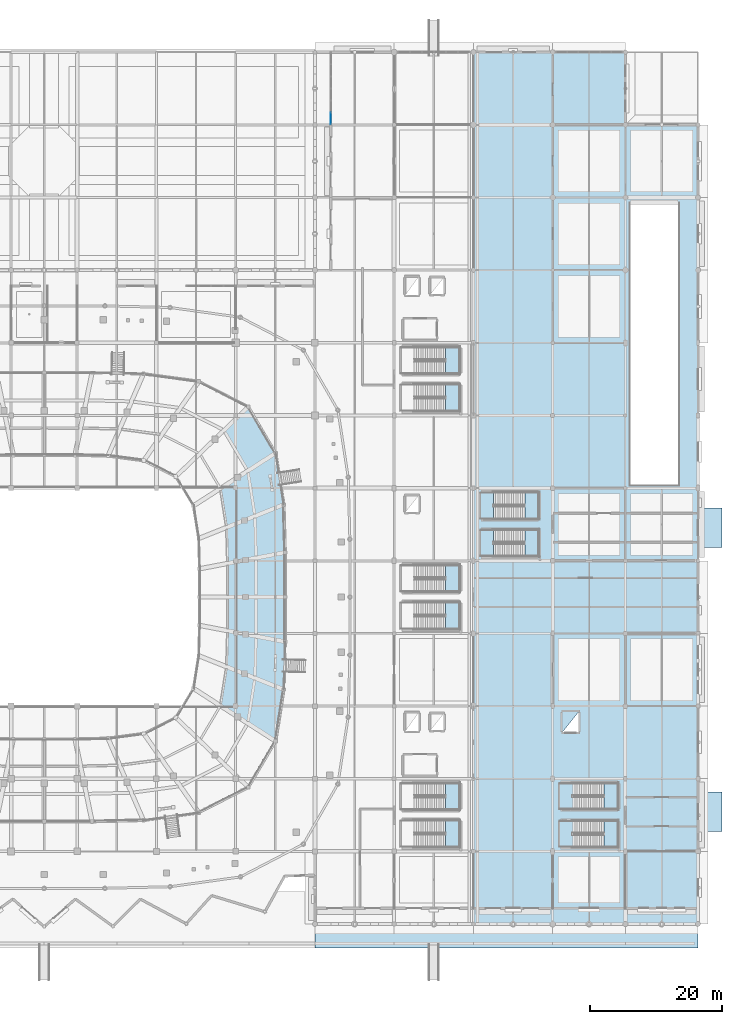
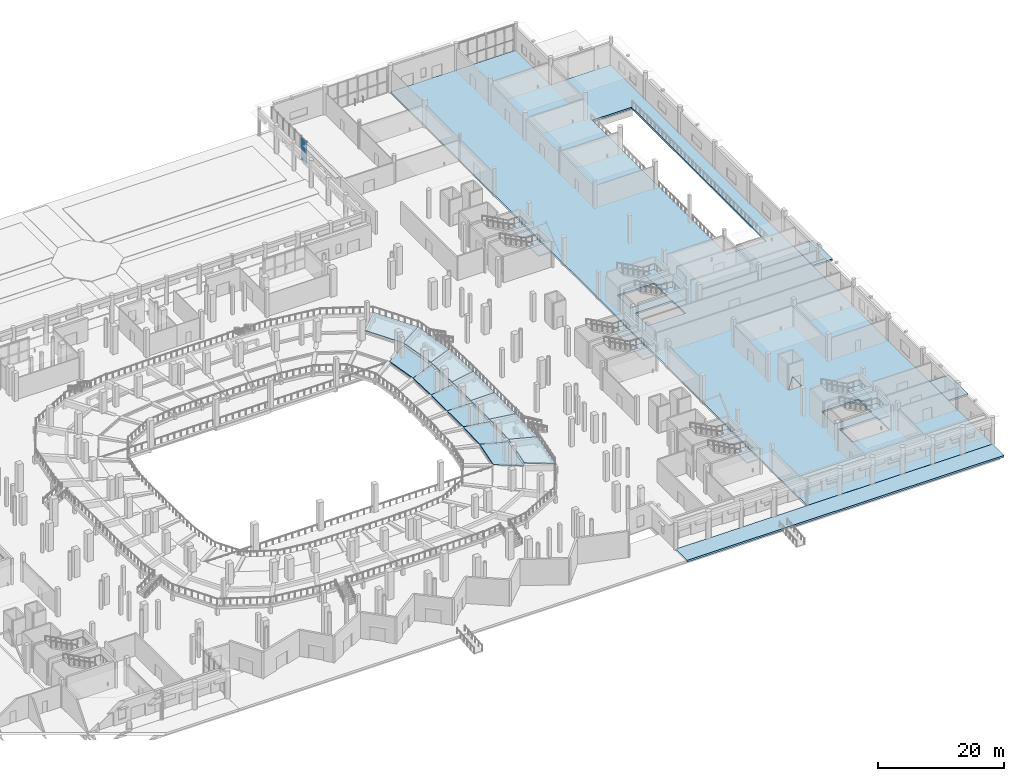
# One storey, part 48 of 120: 27 slabs, 2 plates, 11 elements without a shape of their own.
"""IFC4 building model written with IfcOpenShell, lengths in metres."""

from ifc_helpers import new_model, si_unit, direction, frame, origin, origin_2d, place, context, subcontext, project, spatial, polyline, rectangle, outline, extrude, material, layer, layer_set, type_object, element, aggregate, save


model = new_model("IFC4")

# Units and contexts
model_context = context("Model", 3, precision=1e-05, world=origin(), true_north=direction((0.0, 1.0)))
body_context = subcontext(model_context, "Body", "Model", "MODEL_VIEW")
ifc_project = project(units=[si_unit("LENGTHUNIT", "METRE"), si_unit("AREAUNIT", "SQUARE_METRE"), si_unit("VOLUMEUNIT", "CUBIC_METRE"), si_unit("PLANEANGLEUNIT", "RADIAN"), si_unit("MASSUNIT", "GRAM", prefix="KILO")], contexts=[model_context])

# Site, building, storey
site_placement = place(None, origin())
site = spatial("IfcSite", under=ifc_project, at=site_placement, CompositionType="ELEMENT")
building_placement = place(site_placement, origin())
building = spatial("IfcBuilding", under=site, at=building_placement, Name="Luwafu Chhajja Arena", CompositionType="ELEMENT")
storey_placement = place(building_placement, origin())
storey = spatial("IfcBuildingStorey", under=building, at=storey_placement, Name="L00", CompositionType="ELEMENT", Elevation=0.0)

# Curtain wall, plates
ifc_material_1 = material(Name="Anodised bronze aluminium", Category="aluminium")
curtain_wall_type = type_object("IfcCurtainWallType", Name="VIP Club Terrace Curtain Wall", PredefinedType="USERDEFINED", material=ifc_material_1)
curtain_wall_placement = place(storey_placement, origin())
curtain_wall = element("IfcCurtainWall", 1, at=curtain_wall_placement, inside=storey, type_object=curtain_wall_type, Name="L00 Curtain Wall CWG-L00-V12_11", ObjectType="CURTAIN WALL", PredefinedType="USERDEFINED")
ifc_material_2 = material(Name="Solar-control laminated glass", Category="glass")
ifc_layer_1 = layer(ifc_material_2, 0.035888671875, Name="Solar-control laminated glass")
ifc_layer_set_1 = layer_set([ifc_layer_1], Name="Solar-control laminated glass")
plate_type = type_object("IfcPlateType", Name="Acoustic Broadcast Double Glazed CW Panel 36", PredefinedType="CURTAIN_PANEL", material=ifc_layer_set_1)
plate_1_placement = place(storey_placement, frame((142.39990234375, 121.932861328125, 0.094970703125), z_axis=(0.0, 0.0, 1.0), x_axis=(0.0, 1.0, 0.0)))
plate_1 = element("IfcPlate", 2, at=plate_1_placement, type_object=plate_type, Name="CW-10 panel 1.1", PredefinedType="CURTAIN_PANEL", context=body_context, shape_type="SweptSolid", body=[
    extrude(rectangle(XDim=1.73583984375, YDim=0.035888671875, at=origin_2d()), origin(), (0.0, 0.0, 1.0), 1.919921875),
])
plate_2_placement = place(storey_placement, frame((142.39990234375, 121.932861328125, 2.080078125), z_axis=(0.0, 0.0, 1.0), x_axis=(0.0, 1.0, 0.0)))
plate_2 = element("IfcPlate", 3, at=plate_2_placement, type_object=plate_type, Name="CW-10 panel 1.2", PredefinedType="CURTAIN_PANEL", context=body_context, shape_type="SweptSolid", body=[
    extrude(rectangle(XDim=1.73583984375, YDim=0.035888671875, at=origin_2d()), origin(), (0.0, 0.0, 1.0), 2.405029296875),
])
aggregate(curtain_wall, [plate_1, plate_2])

# Stair, slab
ifc_material_3 = material(Name="Concrete C35/45", Category="concrete")
stair_type_1 = type_object("IfcStairType", Name="Quadrant Protected Dog-Leg Stair 1920", PredefinedType="HALF_TURN_STAIR", material=ifc_material_3)
stair_1_placement = place(storey_placement, origin())
stair_1 = element("IfcStair", 4, at=stair_1_placement, inside=storey, type_object=stair_type_1, Name="L00 Protected Escape Stair ST-03", PredefinedType="HALF_TURN_STAIR")
ifc_layer_2 = layer(ifc_material_3, 0.199951171875, Name="Concrete C35/45")
ifc_layer_set_2 = layer_set([ifc_layer_2], Name="Concrete C35/45")
slab_type_1 = type_object("IfcSlabType", Name="Escape Stair Landing Slab 200", PredefinedType="LANDING", material=ifc_layer_set_2)
slab_1_placement = place(storey_placement, frame((0.0, 0.0, 2.5)))
slab_1 = element("IfcSlab", 5, at=slab_1_placement, type_object=slab_type_1, Name="ST-03 landing 1", PredefinedType="LANDING", context=body_context, shape_type="SweptSolid", body=[
    extrude(outline(polyline([(159.780029296875, 11.64990234375), (161.89990234375, 11.64990234375), (161.89990234375, 15.68994140625), (159.780029296875, 15.68994140625), (159.780029296875, 11.64990234375)])), origin(), (0.0, 0.0, 1.0), 0.199951171875),
])
aggregate(stair_1, [slab_1])

stair_2_placement = place(storey_placement, origin())
stair_2 = element("IfcStair", 6, at=stair_2_placement, inside=storey, type_object=stair_type_1, Name="L00 Protected Escape Stair ST-04", PredefinedType="HALF_TURN_STAIR")
slab_2_placement = place(storey_placement, frame((0.0, 0.0, 2.5)))
slab_2 = element("IfcSlab", 7, at=slab_2_placement, type_object=slab_type_1, Name="ST-04 landing 1", PredefinedType="LANDING", context=body_context, shape_type="SweptSolid", body=[
    extrude(outline(polyline([(159.780029296875, 17.31005859375), (161.89990234375, 17.31005859375), (161.89990234375, 21.35009765625), (159.780029296875, 21.35009765625), (159.780029296875, 17.31005859375)])), origin(), (0.0, 0.0, 1.0), 0.199951171875),
])
aggregate(stair_2, [slab_2])

stair_3_placement = place(storey_placement, origin())
stair_3 = element("IfcStair", 8, at=stair_3_placement, inside=storey, type_object=stair_type_1, Name="L00 Protected Escape Stair ST-07", PredefinedType="HALF_TURN_STAIR")
slab_3_placement = place(storey_placement, frame((0.0, 0.0, 2.5)))
slab_3 = element("IfcSlab", 9, at=slab_3_placement, type_object=slab_type_1, Name="ST-07 landing 1", PredefinedType="LANDING", context=body_context, shape_type="SweptSolid", body=[
    extrude(outline(polyline([(159.780029296875, 77.64990234375), (161.89990234375, 77.64990234375), (161.89990234375, 81.68994140625), (159.780029296875, 81.68994140625), (159.780029296875, 77.64990234375)])), origin(), (0.0, 0.0, 1.0), 0.199951171875),
])
aggregate(stair_3, [slab_3])

stair_4_placement = place(storey_placement, origin())
stair_4 = element("IfcStair", 10, at=stair_4_placement, inside=storey, type_object=stair_type_1, Name="L00 Protected Escape Stair ST-08", PredefinedType="HALF_TURN_STAIR")
slab_4_placement = place(storey_placement, frame((0.0, 0.0, 2.5)))
slab_4 = element("IfcSlab", 11, at=slab_4_placement, type_object=slab_type_1, Name="ST-08 landing 1", PredefinedType="LANDING", context=body_context, shape_type="SweptSolid", body=[
    extrude(outline(polyline([(159.780029296875, 83.31005859375), (161.89990234375, 83.31005859375), (161.89990234375, 87.35009765625), (159.780029296875, 87.35009765625), (159.780029296875, 83.31005859375)])), origin(), (0.0, 0.0, 1.0), 0.199951171875),
])
aggregate(stair_4, [slab_4])

stair_5_placement = place(storey_placement, origin())
stair_5 = element("IfcStair", 12, at=stair_5_placement, inside=storey, type_object=stair_type_1, Name="L00 Protected Escape Stair ST-11", PredefinedType="HALF_TURN_STAIR")
slab_5_placement = place(storey_placement, frame((0.0, 0.0, 2.5)))
slab_5 = element("IfcSlab", 13, at=slab_5_placement, type_object=slab_type_1, Name="ST-11 landing 1", PredefinedType="LANDING", context=body_context, shape_type="SweptSolid", body=[
    extrude(outline(polyline([(159.780029296875, 44.64990234375), (161.89990234375, 44.64990234375), (161.89990234375, 48.68994140625), (159.780029296875, 48.68994140625), (159.780029296875, 44.64990234375)])), origin(), (0.0, 0.0, 1.0), 0.199951171875),
])
aggregate(stair_5, [slab_5])

stair_6_placement = place(storey_placement, origin())
stair_6 = element("IfcStair", 14, at=stair_6_placement, inside=storey, type_object=stair_type_1, Name="L00 Protected Escape Stair ST-12", PredefinedType="HALF_TURN_STAIR")
slab_6_placement = place(storey_placement, frame((0.0, 0.0, 2.5)))
slab_6 = element("IfcSlab", 15, at=slab_6_placement, type_object=slab_type_1, Name="ST-12 landing 1", PredefinedType="LANDING", context=body_context, shape_type="SweptSolid", body=[
    extrude(outline(polyline([(159.780029296875, 50.31005859375), (161.89990234375, 50.31005859375), (161.89990234375, 54.35009765625), (159.780029296875, 54.35009765625), (159.780029296875, 50.31005859375)])), origin(), (0.0, 0.0, 1.0), 0.199951171875),
])
aggregate(stair_6, [slab_6])

stair_type_2 = type_object("IfcStairType", Name="Wing Protected Dog-Leg Stair 1900", PredefinedType="HALF_TURN_STAIR", material=ifc_material_3)
stair_7_placement = place(storey_placement, origin())
stair_7 = element("IfcStair", 16, at=stair_7_placement, inside=storey, type_object=stair_type_2, Name="L00 Protected Escape Stair ST-15", PredefinedType="HALF_TURN_STAIR")
slab_7_placement = place(storey_placement, frame((0.0, 0.0, 2.5)))
slab_7 = element("IfcSlab", 17, at=slab_7_placement, type_object=slab_type_1, Name="ST-15 landing 1", PredefinedType="LANDING", context=body_context, shape_type="SweptSolid", body=[
    extrude(outline(polyline([(183.760009765625, 11.64990234375), (185.89990234375, 11.64990234375), (185.89990234375, 15.64990234375), (183.760009765625, 15.64990234375), (183.760009765625, 11.64990234375)])), origin(), (0.0, 0.0, 1.0), 0.199951171875),
])
aggregate(stair_7, [slab_7])

stair_8_placement = place(storey_placement, origin())
stair_8 = element("IfcStair", 18, at=stair_8_placement, inside=storey, type_object=stair_type_2, Name="L00 Protected Escape Stair ST-16", PredefinedType="HALF_TURN_STAIR")
slab_8_placement = place(storey_placement, frame((0.0, 0.0, 2.5)))
slab_8 = element("IfcSlab", 19, at=slab_8_placement, type_object=slab_type_1, Name="ST-16 landing 1", PredefinedType="LANDING", context=body_context, shape_type="SweptSolid", body=[
    extrude(outline(polyline([(183.760009765625, 17.35009765625), (185.89990234375, 17.35009765625), (185.89990234375, 21.35009765625), (183.760009765625, 21.35009765625), (183.760009765625, 17.35009765625)])), origin(), (0.0, 0.0, 1.0), 0.199951171875),
])
aggregate(stair_8, [slab_8])

stair_9_placement = place(storey_placement, origin())
stair_9 = element("IfcStair", 20, at=stair_9_placement, inside=storey, type_object=stair_type_1, Name="L00 Protected Escape Stair ST-19", PredefinedType="HALF_TURN_STAIR")
slab_9_placement = place(storey_placement, frame((0.0, 0.0, 2.5)))
slab_9 = element("IfcSlab", 21, at=slab_9_placement, type_object=slab_type_1, Name="ST-19 landing 1", PredefinedType="LANDING", context=body_context, shape_type="SweptSolid", body=[
    extrude(outline(polyline([(171.780029296875, 55.64990234375), (173.89990234375, 55.64990234375), (173.89990234375, 59.68994140625), (171.780029296875, 59.68994140625), (171.780029296875, 55.64990234375)])), origin(), (0.0, 0.0, 1.0), 0.199951171875),
])
aggregate(stair_9, [slab_9])

stair_10_placement = place(storey_placement, origin())
stair_10 = element("IfcStair", 22, at=stair_10_placement, inside=storey, type_object=stair_type_1, Name="L00 Protected Escape Stair ST-20", PredefinedType="HALF_TURN_STAIR")
slab_10_placement = place(storey_placement, frame((0.0, 0.0, 2.5)))
slab_10 = element("IfcSlab", 23, at=slab_10_placement, type_object=slab_type_1, Name="ST-20 landing 1", PredefinedType="LANDING", context=body_context, shape_type="SweptSolid", body=[
    extrude(outline(polyline([(171.780029296875, 61.31005859375), (173.89990234375, 61.31005859375), (173.89990234375, 65.35009765625), (171.780029296875, 65.35009765625), (171.780029296875, 61.31005859375)])), origin(), (0.0, 0.0, 1.0), 0.199951171875),
])
aggregate(stair_10, [slab_10])

# Slabs
ifc_layer_3 = layer(ifc_material_3, 0.340087890625, Name="Concrete C35/45")
ifc_layer_set_3 = layer_set([ifc_layer_3], Name="Concrete C35/45")
slab_type_2 = type_object("IfcSlabType", Name="Main Concourse Suspended Slab 340", PredefinedType="FLOOR", material=ifc_layer_set_3)
slab_11_placement = place(storey_placement, frame((0.0, 0.0, -0.340087890625)))
element("IfcSlab", 24, at=slab_11_placement, inside=storey, type_object=slab_type_2, Name="L00 Structural Floor Slab 2", PredefinedType="FLOOR", context=body_context, shape_type="SweptSolid", body=[
    extrude(outline(polyline([(187.0, 132.0), (187.0, 121.0), (198.0, 121.0), (198.0, 0.0), (164.050048828125, 0.0), (164.050048828125, 132.0), (187.0, 132.0)]), holes=[polyline([(195.0, 109.199951171875), (187.800048828125, 109.199951171875), (187.800048828125, 66.5), (195.0, 66.5), (195.0, 109.199951171875)]), polyline([(179.044921875, 21.35009765625), (179.044921875, 17.35009765625), (185.89990234375, 17.35009765625), (185.89990234375, 21.35009765625), (179.044921875, 21.35009765625)]), polyline([(179.044921875, 11.64990234375), (185.89990234375, 11.64990234375), (185.89990234375, 15.64990234375), (179.044921875, 15.64990234375), (179.044921875, 11.64990234375)]), polyline([(177.47998046875, 29.080078125), (179.919921875, 29.080078125), (179.919921875, 32.1201171875), (177.47998046875, 29.080078125)]), polyline([(167.06494140625, 65.35009765625), (167.06494140625, 61.31005859375), (173.89990234375, 61.31005859375), (173.89990234375, 65.35009765625), (167.06494140625, 65.35009765625)]), polyline([(167.06494140625, 55.64990234375), (173.89990234375, 55.64990234375), (173.89990234375, 59.68994140625), (167.06494140625, 59.68994140625), (167.06494140625, 55.64990234375)])]), origin(), (0.0, 0.0, 1.0), 0.340087890625),
])
ifc_material_4 = material(Name="Precast concrete C40/50", Category="concrete")
ifc_layer_4 = layer(ifc_material_4, 0.219970703125, Name="Precast concrete C40/50")
ifc_layer_set_4 = layer_set([ifc_layer_4], Name="Precast concrete C40/50")
slab_type_3 = type_object("IfcSlabType", Name="Precast Lower Seating Tier Slab 220", PredefinedType="USERDEFINED", material=ifc_layer_set_4)
slab_12_placement = place(storey_placement, frame((0.0, 0.0, 1.1298828125)))
element("IfcSlab", 25, at=slab_12_placement, inside=storey, type_object=slab_type_3, Name="Stand Lower Tier Sector 01 Row Band 2", ObjectType="SEATING TIER", PredefinedType="USERDEFINED", context=body_context, shape_type="SweptSolid", body=[
    extrude(outline(polyline([(126.800048828125, 49.5), (126.79248046875, 54.5908203125), (131.09130859375, 55.426025390625), (131.10009765625, 49.5), (126.800048828125, 49.5)])), origin(), (0.0, 0.0, 1.0), 0.22021484375),
])
slab_13_placement = place(storey_placement, frame((0.0, 0.0, 1.6298828125)))
element("IfcSlab", 26, at=slab_13_placement, inside=storey, type_object=slab_type_3, Name="Stand Lower Tier Sector 01 Row Band 3", ObjectType="SEATING TIER", PredefinedType="USERDEFINED", context=body_context, shape_type="SweptSolid", body=[
    extrude(outline(polyline([(131.10009765625, 49.5), (131.09130859375, 55.426025390625), (135.490234375, 56.26123046875), (135.5, 49.5), (131.10009765625, 49.5)])), origin(), (0.0, 0.0, 1.0), 0.22021484375),
])
slab_14_placement = place(storey_placement, frame((0.0, 0.0, 1.1298828125)))
element("IfcSlab", 27, at=slab_14_placement, inside=storey, type_object=slab_type_3, Name="Stand Lower Tier Sector 02 Row Band 2", ObjectType="SEATING TIER", PredefinedType="USERDEFINED", context=body_context, shape_type="SweptSolid", body=[
    extrude(outline(polyline([(126.79248046875, 54.5908203125), (126.63916015625, 60.04248046875), (130.914306640625, 61.772216796875), (131.09130859375, 55.426025390625), (126.79248046875, 54.5908203125)])), origin(), (0.0, 0.0, 1.0), 0.22021484375),
])
slab_15_placement = place(storey_placement, frame((0.0, 0.0, 1.6298828125)))
element("IfcSlab", 28, at=slab_15_placement, inside=storey, type_object=slab_type_3, Name="Stand Lower Tier Sector 02 Row Band 3", ObjectType="SEATING TIER", PredefinedType="USERDEFINED", context=body_context, shape_type="SweptSolid", body=[
    extrude(outline(polyline([(131.09130859375, 55.426025390625), (130.914306640625, 61.772216796875), (135.288818359375, 63.501708984375), (135.490234375, 56.26123046875), (131.09130859375, 55.426025390625)])), origin(), (0.0, 0.0, 1.0), 0.22021484375),
])
slab_16_placement = place(storey_placement, frame((0.0, 0.0, 1.1298828125)))
element("IfcSlab", 29, at=slab_16_placement, inside=storey, type_object=slab_type_3, Name="Stand Lower Tier Sector 03 Row Band 2", ObjectType="SEATING TIER", PredefinedType="USERDEFINED", context=body_context, shape_type="SweptSolid", body=[
    extrude(outline(polyline([(126.63916015625, 60.04248046875), (125.704833984375, 65.931396484375), (129.83544921875, 68.627197265625), (130.914306640625, 61.772216796875), (126.63916015625, 60.04248046875)])), origin(), (0.0, 0.0, 1.0), 0.22021484375),
])
slab_17_placement = place(storey_placement, frame((0.0, 0.0, 1.6298828125)))
element("IfcSlab", 30, at=slab_17_placement, inside=storey, type_object=slab_type_3, Name="Stand Lower Tier Sector 03 Row Band 3", ObjectType="SEATING TIER", PredefinedType="USERDEFINED", context=body_context, shape_type="SweptSolid", body=[
    extrude(outline(polyline([(130.914306640625, 61.772216796875), (129.83544921875, 68.627197265625), (134.06201171875, 71.322998046875), (135.288818359375, 63.501708984375), (130.914306640625, 61.772216796875)])), origin(), (0.0, 0.0, 1.0), 0.22021484375),
])
slab_18_placement = place(storey_placement, frame((0.0, 0.0, 1.6298828125)))
element("IfcSlab", 31, at=slab_18_placement, inside=storey, type_object=slab_type_3, Name="Stand Lower Tier Sector 04 Row Band 3", ObjectType="SEATING TIER", PredefinedType="USERDEFINED", context=body_context, shape_type="SweptSolid", body=[
    extrude(outline(polyline([(129.83544921875, 68.627197265625), (126.21630859375, 74.766357421875), (129.947021484375, 78.327392578125), (134.06201171875, 71.322998046875), (129.83544921875, 68.627197265625)])), origin(), (0.0, 0.0, 1.0), 0.22021484375),
])
slab_19_placement = place(storey_placement, frame((0.0, 0.0, 1.1298828125)))
element("IfcSlab", 32, at=slab_19_placement, inside=storey, type_object=slab_type_3, Name="Stand Lower Tier Sector 30 Row Band 2", ObjectType="SEATING TIER", PredefinedType="USERDEFINED", context=body_context, shape_type="SweptSolid", body=[
    extrude(outline(polyline([(125.704833984375, 33.068603515625), (126.63916015625, 38.95751953125), (130.914306640625, 37.227783203125), (129.83544921875, 30.372802734375), (125.704833984375, 33.068603515625)])), origin(), (0.0, 0.0, 1.0), 0.22021484375),
])
slab_20_placement = place(storey_placement, frame((0.0, 0.0, 1.6298828125)))
element("IfcSlab", 33, at=slab_20_placement, inside=storey, type_object=slab_type_3, Name="Stand Lower Tier Sector 30 Row Band 3", ObjectType="SEATING TIER", PredefinedType="USERDEFINED", context=body_context, shape_type="SweptSolid", body=[
    extrude(outline(polyline([(129.83544921875, 30.372802734375), (130.914306640625, 37.227783203125), (135.288818359375, 35.498291015625), (134.06201171875, 27.677001953125), (129.83544921875, 30.372802734375)])), origin(), (0.0, 0.0, 1.0), 0.22021484375),
])
slab_21_placement = place(storey_placement, frame((0.0, 0.0, 1.1298828125)))
element("IfcSlab", 34, at=slab_21_placement, inside=storey, type_object=slab_type_3, Name="Stand Lower Tier Sector 31 Row Band 2", ObjectType="SEATING TIER", PredefinedType="USERDEFINED", context=body_context, shape_type="SweptSolid", body=[
    extrude(outline(polyline([(126.63916015625, 38.95751953125), (126.79248046875, 44.4091796875), (131.09130859375, 43.573974609375), (130.914306640625, 37.227783203125), (126.63916015625, 38.95751953125)])), origin(), (0.0, 0.0, 1.0), 0.22021484375),
])
slab_22_placement = place(storey_placement, frame((0.0, 0.0, 1.6298828125)))
element("IfcSlab", 35, at=slab_22_placement, inside=storey, type_object=slab_type_3, Name="Stand Lower Tier Sector 31 Row Band 3", ObjectType="SEATING TIER", PredefinedType="USERDEFINED", context=body_context, shape_type="SweptSolid", body=[
    extrude(outline(polyline([(130.914306640625, 37.227783203125), (131.09130859375, 43.573974609375), (135.490234375, 42.73876953125), (135.288818359375, 35.498291015625), (130.914306640625, 37.227783203125)])), origin(), (0.0, 0.0, 1.0), 0.22021484375),
])
slab_23_placement = place(storey_placement, frame((0.0, 0.0, 1.1298828125)))
element("IfcSlab", 36, at=slab_23_placement, inside=storey, type_object=slab_type_3, Name="Stand Lower Tier Sector 32 Row Band 2", ObjectType="SEATING TIER", PredefinedType="USERDEFINED", context=body_context, shape_type="SweptSolid", body=[
    extrude(outline(polyline([(126.79248046875, 44.4091796875), (126.800048828125, 49.5), (131.10009765625, 49.5), (131.09130859375, 43.573974609375), (126.79248046875, 44.4091796875)])), origin(), (0.0, 0.0, 1.0), 0.22021484375),
])
slab_24_placement = place(storey_placement, frame((0.0, 0.0, 1.6298828125)))
element("IfcSlab", 37, at=slab_24_placement, inside=storey, type_object=slab_type_3, Name="Stand Lower Tier Sector 32 Row Band 3", ObjectType="SEATING TIER", PredefinedType="USERDEFINED", context=body_context, shape_type="SweptSolid", body=[
    extrude(outline(polyline([(131.09130859375, 43.573974609375), (131.10009765625, 49.5), (135.5, 49.5), (135.490234375, 42.73876953125), (131.09130859375, 43.573974609375)])), origin(), (0.0, 0.0, 1.0), 0.22021484375),
])
ifc_layer_5 = layer(ifc_material_3, 0.35009765625, Name="Concrete C35/45")
ifc_layer_set_5 = layer_set([ifc_layer_5], Name="Concrete C35/45")
slab_type_4 = type_object("IfcSlabType", Name="Service Apron Paving Slab 350", PredefinedType="BASESLAB", material=ifc_layer_set_5)
slab_25_placement = place(storey_placement, frame((0.0, 0.0, -0.35009765625)))
element("IfcSlab", 38, at=slab_25_placement, inside=storey, type_object=slab_type_4, Name="L00 Stair Final Exit Discharge Apron EST1", PredefinedType="BASESLAB", context=body_context, shape_type="SweptSolid", body=[
    extrude(outline(polyline([(198.0, 14.0), (201.60009765625, 14.0), (201.60009765625, 20.0), (198.0, 20.0), (198.0, 14.0)])), origin(), (0.0, 0.0, 1.0), 0.35009765625),
])
slab_26_placement = place(storey_placement, frame((0.0, 0.0, -0.35009765625)))
element("IfcSlab", 39, at=slab_26_placement, inside=storey, type_object=slab_type_4, Name="L00 Stair Final Exit Discharge Apron EST2", PredefinedType="BASESLAB", context=body_context, shape_type="SweptSolid", body=[
    extrude(outline(polyline([(198.0, 57.0), (201.60009765625, 57.0), (201.60009765625, 63.0), (198.0, 63.0), (198.0, 57.0)])), origin(), (0.0, 0.0, 1.0), 0.35009765625),
])
slab_27_placement = place(storey_placement, frame((0.0, 0.0, -0.35009765625)))
element("IfcSlab", 40, at=slab_27_placement, inside=storey, type_object=slab_type_4, Name="L00 Luwafu Forecourt Arrival Plaza 3", PredefinedType="BASESLAB", context=body_context, shape_type="SweptSolid", body=[
    extrude(outline(polyline([(198.0, -3.60009765625), (140.0, -3.60009765625), (140.0, -0.0048828125), (198.0, -0.0048828125), (198.0, -3.60009765625)])), origin(), (0.0, 0.0, 1.0), 0.35009765625),
])

save(model, "model.ifc")
